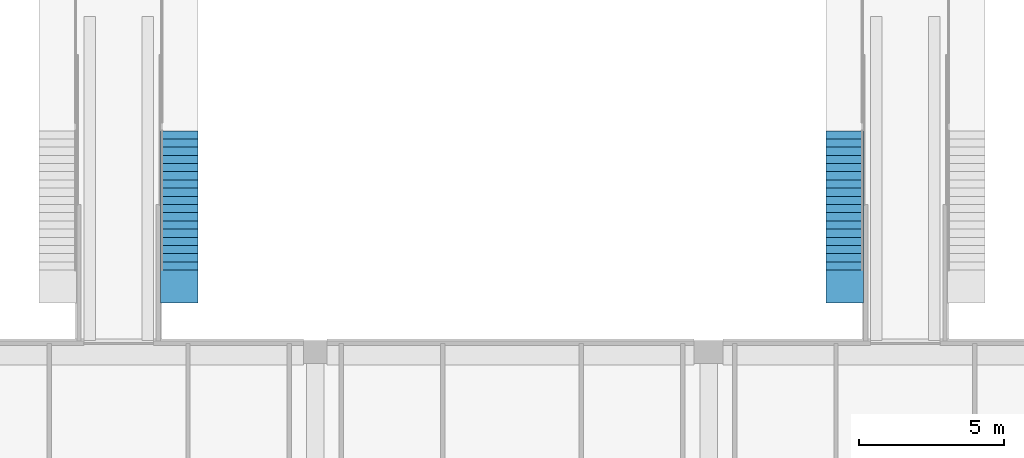
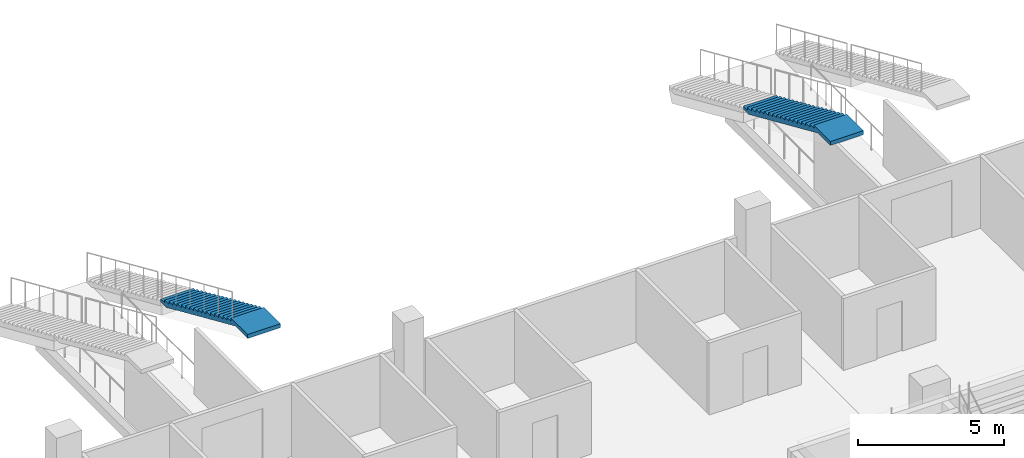
# One storey, part 67 of 175: 2 stair flights, 2 elements without a shape of their own.
"""IFC4 building model written with IfcOpenShell, lengths in metres."""

from ifc_helpers import new_model, si_unit, direction, frame, origin, place, context, subcontext, project, spatial, faceted_brep, material, type_object, element, aggregate, save


model = new_model("IFC4")

# Units and contexts
model_context = context("Model", 3, precision=1e-05, world=origin(), true_north=direction((0.0, 1.0)))
body_context = subcontext(model_context, "Body", "Model", "MODEL_VIEW")
ifc_project = project(units=[si_unit("LENGTHUNIT", "METRE"), si_unit("AREAUNIT", "SQUARE_METRE"), si_unit("VOLUMEUNIT", "CUBIC_METRE"), si_unit("PLANEANGLEUNIT", "RADIAN"), si_unit("MASSUNIT", "GRAM", prefix="KILO")], contexts=[model_context])

# Site, building, storey
site_placement = place(None, origin())
site = spatial("IfcSite", under=ifc_project, at=site_placement, CompositionType="ELEMENT")
building_placement = place(site_placement, origin())
building = spatial("IfcBuilding", under=site, at=building_placement, Name="Ogive Plaza Stadium", CompositionType="ELEMENT")
storey_placement = place(building_placement, origin())
storey = spatial("IfcBuildingStorey", under=building, at=storey_placement, Name="L00", CompositionType="ELEMENT", Elevation=0.0)

# Stair, stair flight
ifc_material_1 = material(Name="Concrete C40/50", Category="concrete")
stair_type = type_object("IfcStairType", Name="Aisle stair", PredefinedType="STRAIGHT_RUN_STAIR", material=ifc_material_1)
stair_1_placement = place(storey_placement, origin())
stair_1 = element("IfcStair", 1, at=stair_1_placement, inside=storey, type_object=stair_type, Name="Aisle stair SA13L", PredefinedType="STRAIGHT_RUN_STAIR")
ifc_material_2 = material(Name="Concrete C40/50", Category="concrete")
stair_flight_type = type_object("IfcStairFlightType", Name="Aisle stair flight", PredefinedType="STRAIGHT", material=ifc_material_2)
stair_flight_1_placement = place(storey_placement, frame((11.5, -72.75, 2.25), z_axis=(0.0, 0.0, 1.0), x_axis=(0.0, -1.0, 0.0)))
stair_flight_1 = element("IfcStairFlight", 2, at=stair_flight_1_placement, type_object=stair_flight_type, Name="SA13L flight 2", NumberOfRisers=18, NumberOfTreads=17, PredefinedType="STRAIGHT", RiserHeight=0.125, TreadLength=0.283333333, context=body_context, shape_type="Brep", body=[
    faceted_brep([(0.371337890625, -0.64990234375, 0.0), (5.10009765625, -0.64990234375, 2.086181640625), (5.949951171875, -0.64990234375, 2.086181640625), (5.949951171875, -0.64990234375, 2.25), (4.816650390625, -0.64990234375, 2.25), (4.816650390625, -0.64990234375, 2.125), (4.533447265625, -0.64990234375, 2.125), (4.533447265625, -0.64990234375, 2.0), (4.25, -0.64990234375, 2.0), (4.25, -0.64990234375, 1.875), (3.966552734375, -0.64990234375, 1.875), (3.966552734375, -0.64990234375, 1.75), (3.683349609375, -0.64990234375, 1.75), (3.683349609375, -0.64990234375, 1.625), (3.39990234375, -0.64990234375, 1.625), (3.39990234375, -0.64990234375, 1.5), (3.11669921875, -0.64990234375, 1.5), (3.11669921875, -0.64990234375, 1.375), (2.833251953125, -0.64990234375, 1.375), (2.833251953125, -0.64990234375, 1.25), (2.550048828125, -0.64990234375, 1.25), (2.550048828125, -0.64990234375, 1.125), (2.2666015625, -0.64990234375, 1.125), (2.2666015625, -0.64990234375, 1.0), (1.9833984375, -0.64990234375, 1.0), (1.9833984375, -0.64990234375, 0.875), (1.699951171875, -0.64990234375, 0.875), (1.699951171875, -0.64990234375, 0.75), (1.416748046875, -0.64990234375, 0.75), (1.416748046875, -0.64990234375, 0.625), (1.13330078125, -0.64990234375, 0.625), (1.13330078125, -0.64990234375, 0.5), (0.85009765625, -0.64990234375, 0.5), (0.85009765625, -0.64990234375, 0.375), (0.566650390625, -0.64990234375, 0.375), (0.566650390625, -0.64990234375, 0.25), (0.283447265625, -0.64990234375, 0.25), (0.283447265625, -0.64990234375, 0.125), (0.0, -0.64990234375, 0.125), (0.0, -0.64990234375, 0.0), (0.0, 0.64990234375, 0.0), (0.0, 0.64990234375, 0.125), (0.283447265625, 0.64990234375, 0.125), (0.283447265625, 0.64990234375, 0.25), (0.566650390625, 0.64990234375, 0.25), (0.566650390625, 0.64990234375, 0.375), (0.85009765625, 0.64990234375, 0.375), (0.85009765625, 0.64990234375, 0.5), (1.13330078125, 0.64990234375, 0.5), (1.13330078125, 0.64990234375, 0.625), (1.416748046875, 0.64990234375, 0.625), (1.416748046875, 0.64990234375, 0.75), (1.699951171875, 0.64990234375, 0.75), (1.699951171875, 0.64990234375, 0.875), (1.9833984375, 0.64990234375, 0.875), (1.9833984375, 0.64990234375, 1.0), (2.2666015625, 0.64990234375, 1.0), (2.2666015625, 0.64990234375, 1.125), (2.550048828125, 0.64990234375, 1.125), (2.550048828125, 0.64990234375, 1.25), (2.833251953125, 0.64990234375, 1.25), (2.833251953125, 0.64990234375, 1.375), (3.11669921875, 0.64990234375, 1.375), (3.11669921875, 0.64990234375, 1.5), (3.39990234375, 0.64990234375, 1.5), (3.39990234375, 0.64990234375, 1.625), (3.683349609375, 0.64990234375, 1.625), (3.683349609375, 0.64990234375, 1.75), (3.966552734375, 0.64990234375, 1.75), (3.966552734375, 0.64990234375, 1.875), (4.25, 0.64990234375, 1.875), (4.25, 0.64990234375, 2.0), (4.533447265625, 0.64990234375, 2.0), (4.533447265625, 0.64990234375, 2.125), (4.816650390625, 0.64990234375, 2.125), (4.816650390625, 0.64990234375, 2.25), (5.949951171875, 0.64990234375, 2.25), (5.949951171875, 0.64990234375, 2.086181640625), (5.10009765625, 0.64990234375, 2.086181640625), (0.371337890625, 0.64990234375, 0.0), (0.371337890625, -0.324951171875, 0.0), (5.10009765625, -0.324951171875, 2.086181640625), (0.371337890625, 0.0, 0.0), (5.10009765625, 0.0, 2.086181640625), (0.371337890625, 0.324951171875, 0.0), (5.10009765625, 0.324951171875, 2.086181640625), (5.949951171875, -0.324951171875, 2.086181640625), (5.949951171875, 0.0, 2.086181640625), (5.949951171875, 0.324951171875, 2.086181640625), (5.949951171875, -0.324951171875, 2.25), (5.949951171875, 0.0, 2.25), (5.949951171875, 0.324951171875, 2.25), (4.816650390625, -0.324951171875, 2.25), (4.816650390625, 0.0, 2.25), (4.816650390625, 0.324951171875, 2.25), (4.816650390625, -0.324951171875, 2.125), (4.816650390625, 0.0, 2.125), (4.816650390625, 0.324951171875, 2.125), (4.533447265625, -0.324951171875, 2.125), (4.533447265625, 0.0, 2.125), (4.533447265625, 0.324951171875, 2.125), (4.533447265625, -0.324951171875, 2.0), (4.533447265625, 0.0, 2.0), (4.533447265625, 0.324951171875, 2.0), (4.25, -0.324951171875, 2.0), (4.25, 0.0, 2.0), (4.25, 0.324951171875, 2.0), (4.25, -0.324951171875, 1.875), (4.25, 0.0, 1.875), (4.25, 0.324951171875, 1.875), (3.966552734375, -0.324951171875, 1.875), (3.966552734375, 0.0, 1.875), (3.966552734375, 0.324951171875, 1.875), (3.966552734375, -0.324951171875, 1.75), (3.966552734375, 0.0, 1.75), (3.966552734375, 0.324951171875, 1.75), (3.683349609375, -0.324951171875, 1.75), (3.683349609375, 0.0, 1.75), (3.683349609375, 0.324951171875, 1.75), (3.683349609375, -0.324951171875, 1.625), (3.683349609375, 0.0, 1.625), (3.683349609375, 0.324951171875, 1.625), (3.39990234375, -0.324951171875, 1.625), (3.39990234375, 0.0, 1.625), (3.39990234375, 0.324951171875, 1.625), (3.39990234375, -0.324951171875, 1.5), (3.39990234375, 0.0, 1.5), (3.39990234375, 0.324951171875, 1.5), (3.11669921875, -0.324951171875, 1.5), (3.11669921875, 0.0, 1.5), (3.11669921875, 0.324951171875, 1.5), (3.11669921875, -0.324951171875, 1.375), (3.11669921875, 0.0, 1.375), (3.11669921875, 0.324951171875, 1.375), (2.833251953125, -0.324951171875, 1.375), (2.833251953125, 0.0, 1.375), (2.833251953125, 0.324951171875, 1.375), (2.833251953125, -0.324951171875, 1.25), (2.833251953125, 0.0, 1.25), (2.833251953125, 0.324951171875, 1.25), (2.550048828125, -0.324951171875, 1.25), (2.550048828125, 0.0, 1.25), (2.550048828125, 0.324951171875, 1.25), (2.550048828125, -0.324951171875, 1.125), (2.550048828125, 0.0, 1.125), (2.550048828125, 0.324951171875, 1.125), (2.2666015625, -0.324951171875, 1.125), (2.2666015625, 0.0, 1.125), (2.2666015625, 0.324951171875, 1.125), (2.2666015625, -0.324951171875, 1.0), (2.2666015625, 0.0, 1.0), (2.2666015625, 0.324951171875, 1.0), (1.9833984375, -0.324951171875, 1.0), (1.9833984375, 0.0, 1.0), (1.9833984375, 0.324951171875, 1.0), (1.9833984375, -0.324951171875, 0.875), (1.9833984375, 0.0, 0.875), (1.9833984375, 0.324951171875, 0.875), (1.699951171875, -0.324951171875, 0.875), (1.699951171875, 0.0, 0.875), (1.699951171875, 0.324951171875, 0.875), (1.699951171875, -0.324951171875, 0.75), (1.699951171875, 0.0, 0.75), (1.699951171875, 0.324951171875, 0.75), (1.416748046875, -0.324951171875, 0.75), (1.416748046875, 0.0, 0.75), (1.416748046875, 0.324951171875, 0.75), (1.416748046875, -0.324951171875, 0.625), (1.416748046875, 0.0, 0.625), (1.416748046875, 0.324951171875, 0.625), (1.13330078125, -0.324951171875, 0.625), (1.13330078125, 0.0, 0.625), (1.13330078125, 0.324951171875, 0.625), (1.13330078125, -0.324951171875, 0.5), (1.13330078125, 0.0, 0.5), (1.13330078125, 0.324951171875, 0.5), (0.85009765625, -0.324951171875, 0.5), (0.85009765625, 0.0, 0.5), (0.85009765625, 0.324951171875, 0.5), (0.85009765625, -0.324951171875, 0.375), (0.85009765625, 0.0, 0.375), (0.85009765625, 0.324951171875, 0.375), (0.566650390625, -0.324951171875, 0.375), (0.566650390625, 0.0, 0.375), (0.566650390625, 0.324951171875, 0.375), (0.566650390625, -0.324951171875, 0.25), (0.566650390625, 0.0, 0.25), (0.566650390625, 0.324951171875, 0.25), (0.283447265625, -0.324951171875, 0.25), (0.283447265625, 0.0, 0.25), (0.283447265625, 0.324951171875, 0.25), (0.283447265625, -0.324951171875, 0.125), (0.283447265625, 0.0, 0.125), (0.283447265625, 0.324951171875, 0.125), (0.0, -0.324951171875, 0.125), (0.0, 0.0, 0.125), (0.0, 0.324951171875, 0.125), (0.0, -0.324951171875, 0.0), (0.0, 0.0, 0.0), (0.0, 0.324951171875, 0.0)], [[[0, 1, 2, 3, 4, 5, 6, 7, 8, 9, 10, 11, 12, 13, 14, 15, 16, 17, 18, 19, 20, 21, 22, 23, 24, 25, 26, 27, 28, 29, 30, 31, 32, 33, 34, 35, 36, 37, 38, 39]], [[40, 41, 42, 43, 44, 45, 46, 47, 48, 49, 50, 51, 52, 53, 54, 55, 56, 57, 58, 59, 60, 61, 62, 63, 64, 65, 66, 67, 68, 69, 70, 71, 72, 73, 74, 75, 76, 77, 78, 79]], [[0, 80, 81, 1]], [[80, 82, 83, 81]], [[82, 84, 85, 83]], [[84, 79, 78, 85]], [[1, 81, 86, 2]], [[81, 83, 87, 86]], [[83, 85, 88, 87]], [[85, 78, 77, 88]], [[2, 86, 89, 3]], [[86, 87, 90, 89]], [[87, 88, 91, 90]], [[88, 77, 76, 91]], [[3, 89, 92, 4]], [[89, 90, 93, 92]], [[90, 91, 94, 93]], [[91, 76, 75, 94]], [[4, 92, 95, 5]], [[92, 93, 96, 95]], [[93, 94, 97, 96]], [[94, 75, 74, 97]], [[5, 95, 98, 6]], [[95, 96, 99, 98]], [[96, 97, 100, 99]], [[97, 74, 73, 100]], [[6, 98, 101, 7]], [[98, 99, 102, 101]], [[99, 100, 103, 102]], [[100, 73, 72, 103]], [[7, 101, 104, 8]], [[101, 102, 105, 104]], [[102, 103, 106, 105]], [[103, 72, 71, 106]], [[8, 104, 107, 9]], [[104, 105, 108, 107]], [[105, 106, 109, 108]], [[106, 71, 70, 109]], [[9, 107, 110, 10]], [[107, 108, 111, 110]], [[108, 109, 112, 111]], [[109, 70, 69, 112]], [[10, 110, 113, 11]], [[110, 111, 114, 113]], [[111, 112, 115, 114]], [[112, 69, 68, 115]], [[11, 113, 116, 12]], [[113, 114, 117, 116]], [[114, 115, 118, 117]], [[115, 68, 67, 118]], [[12, 116, 119, 13]], [[116, 117, 120, 119]], [[117, 118, 121, 120]], [[118, 67, 66, 121]], [[13, 119, 122, 14]], [[119, 120, 123, 122]], [[120, 121, 124, 123]], [[121, 66, 65, 124]], [[14, 122, 125, 15]], [[122, 123, 126, 125]], [[123, 124, 127, 126]], [[124, 65, 64, 127]], [[15, 125, 128, 16]], [[125, 126, 129, 128]], [[126, 127, 130, 129]], [[127, 64, 63, 130]], [[16, 128, 131, 17]], [[128, 129, 132, 131]], [[129, 130, 133, 132]], [[130, 63, 62, 133]], [[17, 131, 134, 18]], [[131, 132, 135, 134]], [[132, 133, 136, 135]], [[133, 62, 61, 136]], [[18, 134, 137, 19]], [[134, 135, 138, 137]], [[135, 136, 139, 138]], [[136, 61, 60, 139]], [[19, 137, 140, 20]], [[137, 138, 141, 140]], [[138, 139, 142, 141]], [[139, 60, 59, 142]], [[20, 140, 143, 21]], [[140, 141, 144, 143]], [[141, 142, 145, 144]], [[142, 59, 58, 145]], [[21, 143, 146, 22]], [[143, 144, 147, 146]], [[144, 145, 148, 147]], [[145, 58, 57, 148]], [[22, 146, 149, 23]], [[146, 147, 150, 149]], [[147, 148, 151, 150]], [[148, 57, 56, 151]], [[23, 149, 152, 24]], [[149, 150, 153, 152]], [[150, 151, 154, 153]], [[151, 56, 55, 154]], [[24, 152, 155, 25]], [[152, 153, 156, 155]], [[153, 154, 157, 156]], [[154, 55, 54, 157]], [[25, 155, 158, 26]], [[155, 156, 159, 158]], [[156, 157, 160, 159]], [[157, 54, 53, 160]], [[26, 158, 161, 27]], [[158, 159, 162, 161]], [[159, 160, 163, 162]], [[160, 53, 52, 163]], [[27, 161, 164, 28]], [[161, 162, 165, 164]], [[162, 163, 166, 165]], [[163, 52, 51, 166]], [[28, 164, 167, 29]], [[164, 165, 168, 167]], [[165, 166, 169, 168]], [[166, 51, 50, 169]], [[29, 167, 170, 30]], [[167, 168, 171, 170]], [[168, 169, 172, 171]], [[169, 50, 49, 172]], [[30, 170, 173, 31]], [[170, 171, 174, 173]], [[171, 172, 175, 174]], [[172, 49, 48, 175]], [[31, 173, 176, 32]], [[173, 174, 177, 176]], [[174, 175, 178, 177]], [[175, 48, 47, 178]], [[32, 176, 179, 33]], [[176, 177, 180, 179]], [[177, 178, 181, 180]], [[178, 47, 46, 181]], [[33, 179, 182, 34]], [[179, 180, 183, 182]], [[180, 181, 184, 183]], [[181, 46, 45, 184]], [[34, 182, 185, 35]], [[182, 183, 186, 185]], [[183, 184, 187, 186]], [[184, 45, 44, 187]], [[35, 185, 188, 36]], [[185, 186, 189, 188]], [[186, 187, 190, 189]], [[187, 44, 43, 190]], [[36, 188, 191, 37]], [[188, 189, 192, 191]], [[189, 190, 193, 192]], [[190, 43, 42, 193]], [[37, 191, 194, 38]], [[191, 192, 195, 194]], [[192, 193, 196, 195]], [[193, 42, 41, 196]], [[38, 194, 197, 39]], [[194, 195, 198, 197]], [[195, 196, 199, 198]], [[196, 41, 40, 199]], [[39, 197, 80, 0]], [[197, 198, 82, 80]], [[198, 199, 84, 82]], [[199, 40, 79, 84]]]),
])
aggregate(stair_1, [stair_flight_1])

stair_2_placement = place(storey_placement, origin())
stair_2 = element("IfcStair", 3, at=stair_2_placement, inside=storey, type_object=stair_type, Name="Aisle stair SA15R", PredefinedType="STRAIGHT_RUN_STAIR")
stair_flight_2_placement = place(storey_placement, frame((-11.5, -72.75, 2.25), z_axis=(0.0, 0.0, 1.0), x_axis=(0.0, -1.0, 0.0)))
stair_flight_2 = element("IfcStairFlight", 4, at=stair_flight_2_placement, type_object=stair_flight_type, Name="SA15R flight 2", NumberOfRisers=18, NumberOfTreads=17, PredefinedType="STRAIGHT", RiserHeight=0.125, TreadLength=0.283333333, context=body_context, shape_type="Brep", body=[
    faceted_brep([(0.371337890625, -0.64990234375, 0.0), (5.10009765625, -0.64990234375, 2.086181640625), (5.949951171875, -0.64990234375, 2.086181640625), (5.949951171875, -0.64990234375, 2.25), (4.816650390625, -0.64990234375, 2.25), (4.816650390625, -0.64990234375, 2.125), (4.533447265625, -0.64990234375, 2.125), (4.533447265625, -0.64990234375, 2.0), (4.25, -0.64990234375, 2.0), (4.25, -0.64990234375, 1.875), (3.966552734375, -0.64990234375, 1.875), (3.966552734375, -0.64990234375, 1.75), (3.683349609375, -0.64990234375, 1.75), (3.683349609375, -0.64990234375, 1.625), (3.39990234375, -0.64990234375, 1.625), (3.39990234375, -0.64990234375, 1.5), (3.11669921875, -0.64990234375, 1.5), (3.11669921875, -0.64990234375, 1.375), (2.833251953125, -0.64990234375, 1.375), (2.833251953125, -0.64990234375, 1.25), (2.550048828125, -0.64990234375, 1.25), (2.550048828125, -0.64990234375, 1.125), (2.2666015625, -0.64990234375, 1.125), (2.2666015625, -0.64990234375, 1.0), (1.9833984375, -0.64990234375, 1.0), (1.9833984375, -0.64990234375, 0.875), (1.699951171875, -0.64990234375, 0.875), (1.699951171875, -0.64990234375, 0.75), (1.416748046875, -0.64990234375, 0.75), (1.416748046875, -0.64990234375, 0.625), (1.13330078125, -0.64990234375, 0.625), (1.13330078125, -0.64990234375, 0.5), (0.85009765625, -0.64990234375, 0.5), (0.85009765625, -0.64990234375, 0.375), (0.566650390625, -0.64990234375, 0.375), (0.566650390625, -0.64990234375, 0.25), (0.283447265625, -0.64990234375, 0.25), (0.283447265625, -0.64990234375, 0.125), (0.0, -0.64990234375, 0.125), (0.0, -0.64990234375, 0.0), (0.0, 0.64990234375, 0.0), (0.0, 0.64990234375, 0.125), (0.283447265625, 0.64990234375, 0.125), (0.283447265625, 0.64990234375, 0.25), (0.566650390625, 0.64990234375, 0.25), (0.566650390625, 0.64990234375, 0.375), (0.85009765625, 0.64990234375, 0.375), (0.85009765625, 0.64990234375, 0.5), (1.13330078125, 0.64990234375, 0.5), (1.13330078125, 0.64990234375, 0.625), (1.416748046875, 0.64990234375, 0.625), (1.416748046875, 0.64990234375, 0.75), (1.699951171875, 0.64990234375, 0.75), (1.699951171875, 0.64990234375, 0.875), (1.9833984375, 0.64990234375, 0.875), (1.9833984375, 0.64990234375, 1.0), (2.2666015625, 0.64990234375, 1.0), (2.2666015625, 0.64990234375, 1.125), (2.550048828125, 0.64990234375, 1.125), (2.550048828125, 0.64990234375, 1.25), (2.833251953125, 0.64990234375, 1.25), (2.833251953125, 0.64990234375, 1.375), (3.11669921875, 0.64990234375, 1.375), (3.11669921875, 0.64990234375, 1.5), (3.39990234375, 0.64990234375, 1.5), (3.39990234375, 0.64990234375, 1.625), (3.683349609375, 0.64990234375, 1.625), (3.683349609375, 0.64990234375, 1.75), (3.966552734375, 0.64990234375, 1.75), (3.966552734375, 0.64990234375, 1.875), (4.25, 0.64990234375, 1.875), (4.25, 0.64990234375, 2.0), (4.533447265625, 0.64990234375, 2.0), (4.533447265625, 0.64990234375, 2.125), (4.816650390625, 0.64990234375, 2.125), (4.816650390625, 0.64990234375, 2.25), (5.949951171875, 0.64990234375, 2.25), (5.949951171875, 0.64990234375, 2.086181640625), (5.10009765625, 0.64990234375, 2.086181640625), (0.371337890625, 0.64990234375, 0.0), (0.371337890625, -0.324951171875, 0.0), (5.10009765625, -0.324951171875, 2.086181640625), (0.371337890625, 0.0, 0.0), (5.10009765625, 0.0, 2.086181640625), (0.371337890625, 0.324951171875, 0.0), (5.10009765625, 0.324951171875, 2.086181640625), (5.949951171875, -0.324951171875, 2.086181640625), (5.949951171875, 0.0, 2.086181640625), (5.949951171875, 0.324951171875, 2.086181640625), (5.949951171875, -0.324951171875, 2.25), (5.949951171875, 0.0, 2.25), (5.949951171875, 0.324951171875, 2.25), (4.816650390625, -0.324951171875, 2.25), (4.816650390625, 0.0, 2.25), (4.816650390625, 0.324951171875, 2.25), (4.816650390625, -0.324951171875, 2.125), (4.816650390625, 0.0, 2.125), (4.816650390625, 0.324951171875, 2.125), (4.533447265625, -0.324951171875, 2.125), (4.533447265625, 0.0, 2.125), (4.533447265625, 0.324951171875, 2.125), (4.533447265625, -0.324951171875, 2.0), (4.533447265625, 0.0, 2.0), (4.533447265625, 0.324951171875, 2.0), (4.25, -0.324951171875, 2.0), (4.25, 0.0, 2.0), (4.25, 0.324951171875, 2.0), (4.25, -0.324951171875, 1.875), (4.25, 0.0, 1.875), (4.25, 0.324951171875, 1.875), (3.966552734375, -0.324951171875, 1.875), (3.966552734375, 0.0, 1.875), (3.966552734375, 0.324951171875, 1.875), (3.966552734375, -0.324951171875, 1.75), (3.966552734375, 0.0, 1.75), (3.966552734375, 0.324951171875, 1.75), (3.683349609375, -0.324951171875, 1.75), (3.683349609375, 0.0, 1.75), (3.683349609375, 0.324951171875, 1.75), (3.683349609375, -0.324951171875, 1.625), (3.683349609375, 0.0, 1.625), (3.683349609375, 0.324951171875, 1.625), (3.39990234375, -0.324951171875, 1.625), (3.39990234375, 0.0, 1.625), (3.39990234375, 0.324951171875, 1.625), (3.39990234375, -0.324951171875, 1.5), (3.39990234375, 0.0, 1.5), (3.39990234375, 0.324951171875, 1.5), (3.11669921875, -0.324951171875, 1.5), (3.11669921875, 0.0, 1.5), (3.11669921875, 0.324951171875, 1.5), (3.11669921875, -0.324951171875, 1.375), (3.11669921875, 0.0, 1.375), (3.11669921875, 0.324951171875, 1.375), (2.833251953125, -0.324951171875, 1.375), (2.833251953125, 0.0, 1.375), (2.833251953125, 0.324951171875, 1.375), (2.833251953125, -0.324951171875, 1.25), (2.833251953125, 0.0, 1.25), (2.833251953125, 0.324951171875, 1.25), (2.550048828125, -0.324951171875, 1.25), (2.550048828125, 0.0, 1.25), (2.550048828125, 0.324951171875, 1.25), (2.550048828125, -0.324951171875, 1.125), (2.550048828125, 0.0, 1.125), (2.550048828125, 0.324951171875, 1.125), (2.2666015625, -0.324951171875, 1.125), (2.2666015625, 0.0, 1.125), (2.2666015625, 0.324951171875, 1.125), (2.2666015625, -0.324951171875, 1.0), (2.2666015625, 0.0, 1.0), (2.2666015625, 0.324951171875, 1.0), (1.9833984375, -0.324951171875, 1.0), (1.9833984375, 0.0, 1.0), (1.9833984375, 0.324951171875, 1.0), (1.9833984375, -0.324951171875, 0.875), (1.9833984375, 0.0, 0.875), (1.9833984375, 0.324951171875, 0.875), (1.699951171875, -0.324951171875, 0.875), (1.699951171875, 0.0, 0.875), (1.699951171875, 0.324951171875, 0.875), (1.699951171875, -0.324951171875, 0.75), (1.699951171875, 0.0, 0.75), (1.699951171875, 0.324951171875, 0.75), (1.416748046875, -0.324951171875, 0.75), (1.416748046875, 0.0, 0.75), (1.416748046875, 0.324951171875, 0.75), (1.416748046875, -0.324951171875, 0.625), (1.416748046875, 0.0, 0.625), (1.416748046875, 0.324951171875, 0.625), (1.13330078125, -0.324951171875, 0.625), (1.13330078125, 0.0, 0.625), (1.13330078125, 0.324951171875, 0.625), (1.13330078125, -0.324951171875, 0.5), (1.13330078125, 0.0, 0.5), (1.13330078125, 0.324951171875, 0.5), (0.85009765625, -0.324951171875, 0.5), (0.85009765625, 0.0, 0.5), (0.85009765625, 0.324951171875, 0.5), (0.85009765625, -0.324951171875, 0.375), (0.85009765625, 0.0, 0.375), (0.85009765625, 0.324951171875, 0.375), (0.566650390625, -0.324951171875, 0.375), (0.566650390625, 0.0, 0.375), (0.566650390625, 0.324951171875, 0.375), (0.566650390625, -0.324951171875, 0.25), (0.566650390625, 0.0, 0.25), (0.566650390625, 0.324951171875, 0.25), (0.283447265625, -0.324951171875, 0.25), (0.283447265625, 0.0, 0.25), (0.283447265625, 0.324951171875, 0.25), (0.283447265625, -0.324951171875, 0.125), (0.283447265625, 0.0, 0.125), (0.283447265625, 0.324951171875, 0.125), (0.0, -0.324951171875, 0.125), (0.0, 0.0, 0.125), (0.0, 0.324951171875, 0.125), (0.0, -0.324951171875, 0.0), (0.0, 0.0, 0.0), (0.0, 0.324951171875, 0.0)], [[[0, 1, 2, 3, 4, 5, 6, 7, 8, 9, 10, 11, 12, 13, 14, 15, 16, 17, 18, 19, 20, 21, 22, 23, 24, 25, 26, 27, 28, 29, 30, 31, 32, 33, 34, 35, 36, 37, 38, 39]], [[40, 41, 42, 43, 44, 45, 46, 47, 48, 49, 50, 51, 52, 53, 54, 55, 56, 57, 58, 59, 60, 61, 62, 63, 64, 65, 66, 67, 68, 69, 70, 71, 72, 73, 74, 75, 76, 77, 78, 79]], [[0, 80, 81, 1]], [[80, 82, 83, 81]], [[82, 84, 85, 83]], [[84, 79, 78, 85]], [[1, 81, 86, 2]], [[81, 83, 87, 86]], [[83, 85, 88, 87]], [[85, 78, 77, 88]], [[2, 86, 89, 3]], [[86, 87, 90, 89]], [[87, 88, 91, 90]], [[88, 77, 76, 91]], [[3, 89, 92, 4]], [[89, 90, 93, 92]], [[90, 91, 94, 93]], [[91, 76, 75, 94]], [[4, 92, 95, 5]], [[92, 93, 96, 95]], [[93, 94, 97, 96]], [[94, 75, 74, 97]], [[5, 95, 98, 6]], [[95, 96, 99, 98]], [[96, 97, 100, 99]], [[97, 74, 73, 100]], [[6, 98, 101, 7]], [[98, 99, 102, 101]], [[99, 100, 103, 102]], [[100, 73, 72, 103]], [[7, 101, 104, 8]], [[101, 102, 105, 104]], [[102, 103, 106, 105]], [[103, 72, 71, 106]], [[8, 104, 107, 9]], [[104, 105, 108, 107]], [[105, 106, 109, 108]], [[106, 71, 70, 109]], [[9, 107, 110, 10]], [[107, 108, 111, 110]], [[108, 109, 112, 111]], [[109, 70, 69, 112]], [[10, 110, 113, 11]], [[110, 111, 114, 113]], [[111, 112, 115, 114]], [[112, 69, 68, 115]], [[11, 113, 116, 12]], [[113, 114, 117, 116]], [[114, 115, 118, 117]], [[115, 68, 67, 118]], [[12, 116, 119, 13]], [[116, 117, 120, 119]], [[117, 118, 121, 120]], [[118, 67, 66, 121]], [[13, 119, 122, 14]], [[119, 120, 123, 122]], [[120, 121, 124, 123]], [[121, 66, 65, 124]], [[14, 122, 125, 15]], [[122, 123, 126, 125]], [[123, 124, 127, 126]], [[124, 65, 64, 127]], [[15, 125, 128, 16]], [[125, 126, 129, 128]], [[126, 127, 130, 129]], [[127, 64, 63, 130]], [[16, 128, 131, 17]], [[128, 129, 132, 131]], [[129, 130, 133, 132]], [[130, 63, 62, 133]], [[17, 131, 134, 18]], [[131, 132, 135, 134]], [[132, 133, 136, 135]], [[133, 62, 61, 136]], [[18, 134, 137, 19]], [[134, 135, 138, 137]], [[135, 136, 139, 138]], [[136, 61, 60, 139]], [[19, 137, 140, 20]], [[137, 138, 141, 140]], [[138, 139, 142, 141]], [[139, 60, 59, 142]], [[20, 140, 143, 21]], [[140, 141, 144, 143]], [[141, 142, 145, 144]], [[142, 59, 58, 145]], [[21, 143, 146, 22]], [[143, 144, 147, 146]], [[144, 145, 148, 147]], [[145, 58, 57, 148]], [[22, 146, 149, 23]], [[146, 147, 150, 149]], [[147, 148, 151, 150]], [[148, 57, 56, 151]], [[23, 149, 152, 24]], [[149, 150, 153, 152]], [[150, 151, 154, 153]], [[151, 56, 55, 154]], [[24, 152, 155, 25]], [[152, 153, 156, 155]], [[153, 154, 157, 156]], [[154, 55, 54, 157]], [[25, 155, 158, 26]], [[155, 156, 159, 158]], [[156, 157, 160, 159]], [[157, 54, 53, 160]], [[26, 158, 161, 27]], [[158, 159, 162, 161]], [[159, 160, 163, 162]], [[160, 53, 52, 163]], [[27, 161, 164, 28]], [[161, 162, 165, 164]], [[162, 163, 166, 165]], [[163, 52, 51, 166]], [[28, 164, 167, 29]], [[164, 165, 168, 167]], [[165, 166, 169, 168]], [[166, 51, 50, 169]], [[29, 167, 170, 30]], [[167, 168, 171, 170]], [[168, 169, 172, 171]], [[169, 50, 49, 172]], [[30, 170, 173, 31]], [[170, 171, 174, 173]], [[171, 172, 175, 174]], [[172, 49, 48, 175]], [[31, 173, 176, 32]], [[173, 174, 177, 176]], [[174, 175, 178, 177]], [[175, 48, 47, 178]], [[32, 176, 179, 33]], [[176, 177, 180, 179]], [[177, 178, 181, 180]], [[178, 47, 46, 181]], [[33, 179, 182, 34]], [[179, 180, 183, 182]], [[180, 181, 184, 183]], [[181, 46, 45, 184]], [[34, 182, 185, 35]], [[182, 183, 186, 185]], [[183, 184, 187, 186]], [[184, 45, 44, 187]], [[35, 185, 188, 36]], [[185, 186, 189, 188]], [[186, 187, 190, 189]], [[187, 44, 43, 190]], [[36, 188, 191, 37]], [[188, 189, 192, 191]], [[189, 190, 193, 192]], [[190, 43, 42, 193]], [[37, 191, 194, 38]], [[191, 192, 195, 194]], [[192, 193, 196, 195]], [[193, 42, 41, 196]], [[38, 194, 197, 39]], [[194, 195, 198, 197]], [[195, 196, 199, 198]], [[196, 41, 40, 199]], [[39, 197, 80, 0]], [[197, 198, 82, 80]], [[198, 199, 84, 82]], [[199, 40, 79, 84]]]),
])
aggregate(stair_2, [stair_flight_2])

save(model, "model.ifc")
